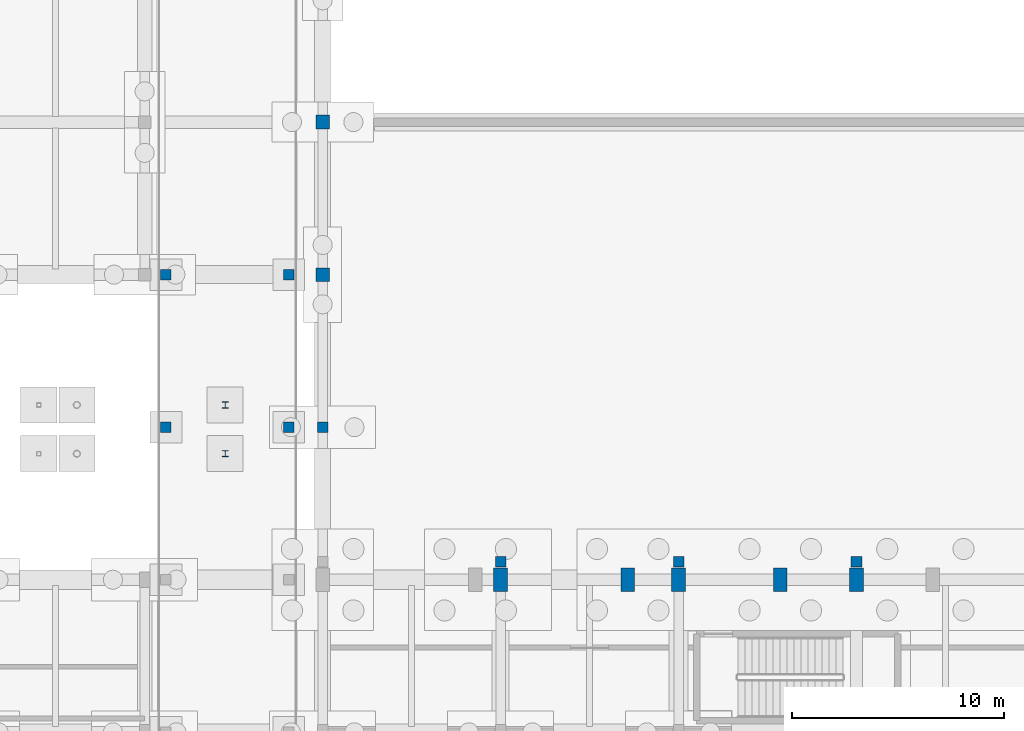
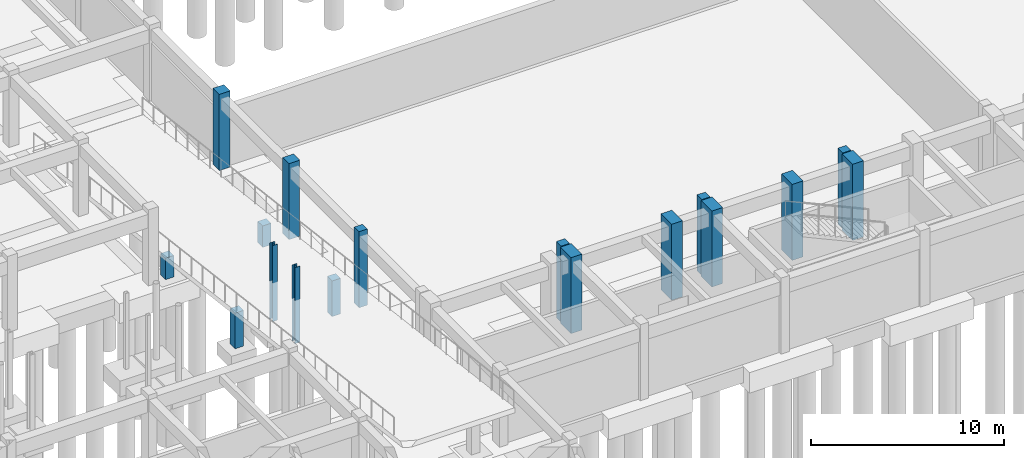
# One storey, part 43 of 80: 17 columns.
"""IFC4 building model written with IfcOpenShell, lengths in metres."""

import ifcopenshell
import ifcopenshell.guid

model = None  # the IFC model being written
_history = None  # IfcOwnerHistory: only IFC2X3 demands one
_inside = {}  # id of a spatial element -> (the spatial element, [elements in it])
_under = {}  # id of a project, library or spatial element -> (it, [spatial elements below it])
_declared = {}  # id of a project -> (the project, [libraries it declares])
_typed = {}  # id of a type object -> (the type object, [elements of that type])
_made_of = {}  # id of a material, layer set ... -> (it, [elements and type objects made of it])


def new_model(schema):
    """Start an empty IFC model of exactly this schema.

    Asked for "IFC4X3", IfcOpenShell would pick the latest addendum, in which some entities
    have other attributes; the version numbers below select the first issue.
    IFC2X3 requires an IfcOwnerHistory on every rooted entity: one is made here for all.
    """
    global model, _history
    if schema == "IFC4X3":
        model = ifcopenshell.file(schema_version=(4, 3, 0, 0))
    else:
        model = ifcopenshell.file(schema=schema)
    _inside.clear()
    _under.clear()
    _declared.clear()
    _typed.clear()
    _made_of.clear()
    _history = None
    if model.schema == "IFC2X3":
        org = make("IfcOrganization", Name="unknown")
        user = make(
            "IfcPersonAndOrganization",
            ThePerson=make("IfcPerson", FamilyName="unknown"),
            TheOrganization=org,
        )
        app = make(
            "IfcApplication",
            ApplicationDeveloper=org,
            Version="unknown",
            ApplicationFullName="unknown",
            ApplicationIdentifier="unknown",
        )
        _history = make(
            "IfcOwnerHistory",
            OwningUser=user,
            OwningApplication=app,
            ChangeAction="ADDED",
            CreationDate=0,
        )
    return model


def make(cls, **values):
    """One entity of the class cls with the attributes given. An attribute that is None is left unset."""
    return model.create_entity(
        cls, **{name: value for name, value in values.items() if value is not None}
    )


def rooted(cls, **values):
    """An entity with a GlobalId (a new one), such as an element, a storey or a relation."""
    return make(cls, GlobalId=ifcopenshell.guid.new(), OwnerHistory=_history, **values)


def si_unit(unit_type, name, prefix=None):
    """IfcSIUnit, for example si_unit("LENGTHUNIT", "METRE", prefix="MILLI")."""
    return make("IfcSIUnit", UnitType=unit_type, Prefix=prefix, Name=name)


def assignment(units):
    """IfcUnitAssignment: the units of a project."""
    return None if units is None else make("IfcUnitAssignment", Units=units)


def point(xyz):
    """IfcCartesianPoint."""
    return None if xyz is None else make("IfcCartesianPoint", Coordinates=xyz)


def direction(xyz):
    """IfcDirection."""
    return None if xyz is None else make("IfcDirection", DirectionRatios=xyz)


def frame(location, z_axis=None, x_axis=None):
    """IfcAxis2Placement3D, a coordinate frame: its origin and axes. An axis left out is left unset."""
    return make(
        "IfcAxis2Placement3D",
        Location=point(location),
        Axis=direction(z_axis),
        RefDirection=direction(x_axis),
    )


def frame_2d(location, x_axis=None):
    """IfcAxis2Placement2D, a coordinate frame in the plane: its origin and x axis."""
    return make(
        "IfcAxis2Placement2D", Location=point(location), RefDirection=direction(x_axis)
    )


def origin():
    """The frame at (0, 0, 0) with its axes left unset."""
    return frame((0.0, 0.0, 0.0))


def origin_2d():
    """The frame at (0, 0) in the plane with its x axis left unset."""
    return frame_2d((0.0, 0.0))


def place(relative_to, where):
    """IfcLocalPlacement: puts the frame where relative to a parent placement (None: the world)."""
    return make(
        "IfcLocalPlacement", PlacementRelTo=relative_to, RelativePlacement=where
    )


def context(
    kind, dimensions, precision=None, world=None, true_north=None, identifier=None
):
    """IfcGeometricRepresentationContext, for example the 3D "Model" context."""
    return make(
        "IfcGeometricRepresentationContext",
        ContextIdentifier=identifier,
        ContextType=kind,
        CoordinateSpaceDimension=dimensions,
        Precision=precision,
        WorldCoordinateSystem=world,
        TrueNorth=true_north,
    )


def subcontext(parent, identifier, kind, view, scale=None):
    """IfcGeometricRepresentationSubContext, for example "Body" below "Model"."""
    return make(
        "IfcGeometricRepresentationSubContext",
        ContextIdentifier=identifier,
        ContextType=kind,
        ParentContext=parent,
        TargetScale=scale,
        TargetView=view,
    )


def project(units=None, contexts=None):
    """IfcProject with its units and contexts."""
    return rooted(
        "IfcProject",
        Name="project",
        RepresentationContexts=contexts,
        UnitsInContext=assignment(units),
    )


def spatial(cls, under=None, at=None, **own):
    """A site, building, storey or space (cls), placed at a placement, below another one or the project."""
    s = rooted(cls, ObjectPlacement=at, **own)
    if under is not None:
        _under.setdefault(under.id(), (under, []))[1].append(s)
    return s


def profile(cls, at=None, kind="AREA", **sizes):
    """A parametric profile (cls). Its sizes go by their IFC names, for example OverallWidth=200.0."""
    return make(cls, ProfileType=kind, Position=at, **sizes)


def rectangle(**sizes):
    """IfcRectangleProfileDef."""
    return profile("IfcRectangleProfileDef", **sizes)


def i_section(**sizes):
    """IfcIShapeProfileDef."""
    return profile("IfcIShapeProfileDef", **sizes)


def extrude(swept, where, along, depth):
    """IfcExtrudedAreaSolid: the profile swept, set in the frame where, extruded along a direction by depth."""
    return make(
        "IfcExtrudedAreaSolid",
        SweptArea=swept,
        Position=where,
        ExtrudedDirection=direction(along),
        Depth=depth,
    )


def shape(context_of_items, identifier, shape_type, items):
    """IfcShapeRepresentation: the items that make up one representation, for example the "Body"."""
    return make(
        "IfcShapeRepresentation",
        ContextOfItems=context_of_items,
        RepresentationIdentifier=identifier,
        RepresentationType=shape_type,
        Items=items,
    )


def material(Name=None, Category=None):
    """IfcMaterial."""
    return make("IfcMaterial", Name=Name, Category=Category)


def material_profile(
    of_material, cross_section, Name=None, Category=None, Priority=None
):
    """IfcMaterialProfile: a cross section and its material."""
    return make(
        "IfcMaterialProfile",
        Name=Name,
        Material=of_material,
        Profile=cross_section,
        Priority=Priority,
        Category=Category,
    )


def profile_set(profiles, Name=None, composite=None):
    """IfcMaterialProfileSet."""
    return make(
        "IfcMaterialProfileSet",
        Name=Name,
        MaterialProfiles=profiles,
        CompositeProfile=composite,
    )


def made_of(thing, what):
    """Note that an element or type object is made of a material, layer set ...; save() writes the relation."""
    if what is not None:
        _made_of.setdefault(what.id(), (what, []))[1].append(thing)
    return thing


def type_object(cls, material=None, **own):
    """A type object (cls), such as IfcWallType, which elements share."""
    return made_of(rooted(cls, **own), material)


def element(
    cls,
    number,
    at=None,
    inside=None,
    cuts=None,
    type_object=None,
    material=None,
    context=None,
    identifier="Body",
    shape_type=None,
    held_by="IfcProductDefinitionShape",
    body=None,
    shapes=None,
    **own,
):
    """One element of the class cls, such as IfcWall. Its Tag is "e" and its number.

    at: its placement. inside: the storey or other place that contains it. cuts: it is an
    opening in that element (IfcRelVoidsElement). A single representation is given by context,
    identifier, shape_type and body (its items); several are given by shapes. held_by: the class
    of the entity that holds the representations. save() writes the other relations.
    """
    e = rooted(cls, Tag="e%d" % number, ObjectPlacement=at, **own)
    if body is not None:
        shapes = [shape(context, identifier, shape_type, body)]
    if shapes is not None:
        e.Representation = make(held_by, Representations=shapes)
    if inside is not None:
        _inside.setdefault(inside.id(), (inside, []))[1].append(e)
    if cuts is not None:
        rooted(
            "IfcRelVoidsElement", RelatingBuildingElement=cuts, RelatedOpeningElement=e
        )
    if type_object is not None:
        _typed.setdefault(type_object.id(), (type_object, []))[1].append(e)
    return made_of(e, material)


def aggregate(whole, parts):
    """IfcRelAggregates: a whole, such as a stair, and the parts it consists of."""
    return rooted("IfcRelAggregates", RelatingObject=whole, RelatedObjects=parts)


def save(model, path):
    """Write the relations noted so far, then the file.

    IfcRelAggregates (storeys below a building ...), IfcRelContainedInSpatialStructure (elements
    in a storey), IfcRelDefinesByType, IfcRelAssociatesMaterial and IfcRelDeclares: one each for
    every whole, place, type object, material and project.
    """
    for whole, parts in _under.values():
        aggregate(whole, parts)
    for where, things in _inside.values():
        rooted(
            "IfcRelContainedInSpatialStructure",
            RelatedElements=things,
            RelatingStructure=where,
        )
    for kind, things in _typed.values():
        rooted("IfcRelDefinesByType", RelatedObjects=things, RelatingType=kind)
    for what, things in _made_of.values():
        rooted("IfcRelAssociatesMaterial", RelatedObjects=things, RelatingMaterial=what)
    for by, libraries in _declared.values():
        rooted("IfcRelDeclares", RelatingContext=by, RelatedDefinitions=libraries)
    model.write(path)


model = new_model("IFC4")

# Units and contexts
model_context = context("Model", 3, precision=1e-05, world=origin(), true_north=direction((0.0, 1.0)))
body_context = subcontext(model_context, "Body", "Model", "MODEL_VIEW")
ifc_project = project(units=[si_unit("LENGTHUNIT", "METRE"), si_unit("AREAUNIT", "SQUARE_METRE"), si_unit("VOLUMEUNIT", "CUBIC_METRE"), si_unit("PLANEANGLEUNIT", "RADIAN"), si_unit("MASSUNIT", "GRAM", prefix="KILO")], contexts=[model_context])

# Site, building, storey
site_placement = place(None, origin())
site = spatial("IfcSite", under=ifc_project, at=site_placement, CompositionType="ELEMENT")
building_placement = place(site_placement, origin())
building = spatial("IfcBuilding", under=site, at=building_placement, Name="Malvenik Polytechnic", CompositionType="ELEMENT")
storey_placement = place(building_placement, frame((0.0, 0.0, -4.800048828125)))
storey = spatial("IfcBuildingStorey", under=building, at=storey_placement, Name="B1", CompositionType="ELEMENT", Elevation=-4.800048828125)

# Columns
ifc_material_1 = material(Name="Concrete C35/45", Category="concrete")
ifc_material_profile_1 = material_profile(ifc_material_1, rectangle(XDim=0.64990234375, YDim=0.64990234375, at=origin_2d()), Name="RC COL 650x650")
ifc_profile_set_1 = profile_set([ifc_material_profile_1], Name="Concrete C35/45")
column_type_1 = type_object("IfcColumnType", Name="STR-COL-C-05", PredefinedType="COLUMN", material=ifc_profile_set_1)
for number, where, z_axis, x_axis, name in (
    (1, (134.39990234375, 50.39990234375, 0.0), (0.0, 0.0, 1.0), (1.0, 0.0, 0.0), "Column C-05 B1 (134.4,50.4)"),
    (2, (134.39990234375, 57.60009765625, 0.0), (0.0, 0.0, 1.0), (1.0, 0.0, 0.0), "Column C-05 B1 (134.4,57.6)"),
):
    element("IfcColumn", number, at=place(storey_placement, frame(where, z_axis=z_axis, x_axis=x_axis)), inside=storey, type_object=column_type_1, Name=name, PredefinedType="COLUMN", context=body_context, shape_type="SweptSolid", body=[
        extrude(rectangle(XDim=0.64990234375, YDim=0.64990234375, at=origin_2d()), origin(), (0.0, 0.0, 1.0), 4.800048828125),
    ])
ifc_material_profile_2 = material_profile(ifc_material_1, rectangle(XDim=0.5, YDim=0.5, at=origin_2d()), Name="RC COL 500x500")
ifc_profile_set_2 = profile_set([ifc_material_profile_2], Name="Concrete C35/45")
column_type_2 = type_object("IfcColumnType", Name="STR-COL-C-08", PredefinedType="COLUMN", material=ifc_profile_set_2)
column_placement = place(storey_placement, frame((134.39990234375, 43.199951171875, 0.0), z_axis=(0.0, 0.0, 1.0), x_axis=(1.0, 0.0, 0.0)))
element("IfcColumn", 3, at=column_placement, inside=storey, type_object=column_type_2, Name="Column C-08 B1 (134.4,43.2)", PredefinedType="COLUMN", context=body_context, shape_type="SweptSolid", body=[
    extrude(rectangle(XDim=0.5, YDim=0.5, at=origin_2d()), origin(), (0.0, 0.0, 1.0), 4.800048828125),
])
for number, where, z_axis, x_axis, name in (
    (4, (127.0, 50.39990234375, 0.0), (0.0, 0.0, 1.0), (1.0, 0.0, 0.0), "Vehicle Ramp Support Column (127.0,50.4)"),
    (5, (132.800048828125, 50.39990234375, 0.0), (0.0, 0.0, 1.0), (1.0, 0.0, 0.0), "Vehicle Ramp Support Column (132.8,50.4)"),
):
    element("IfcColumn", number, at=place(storey_placement, frame(where, z_axis=z_axis, x_axis=x_axis)), inside=storey, type_object=column_type_2, Name=name, PredefinedType="COLUMN", context=body_context, shape_type="SweptSolid", body=[
        extrude(rectangle(XDim=0.5, YDim=0.5, at=origin_2d()), origin(), (0.0, 0.0, 1.0), 1.35498046875),
    ])
for number, where, z_axis, x_axis, name in (
    (6, (127.0, 43.199951171875, 0.0), (0.0, 0.0, 1.0), (1.0, 0.0, 0.0), "Vehicle Ramp Support Column (127.0,43.2)"),
    (7, (132.800048828125, 43.199951171875, 0.0), (0.0, 0.0, 1.0), (1.0, 0.0, 0.0), "Vehicle Ramp Support Column (132.8,43.2)"),
):
    element("IfcColumn", number, at=place(storey_placement, frame(where, z_axis=z_axis, x_axis=x_axis)), inside=storey, type_object=column_type_2, Name=name, PredefinedType="COLUMN", context=body_context, shape_type="SweptSolid", body=[
        extrude(rectangle(XDim=0.5, YDim=0.5, at=origin_2d()), origin(), (0.0, 0.0, 1.0), 2.255126953125),
    ])
for number, where, z_axis, x_axis, name in (
    (8, (142.800048828125, 36.85009765625, 0.0), (0.0, 0.0, 1.0), (1.0, 0.0, 0.0), "Crane Pier Column B1 #1.2"),
    (9, (151.199951171875, 36.85009765625, 0.0), (0.0, 0.0, 1.0), (1.0, 0.0, 0.0), "Crane Pier Column B1 #1.3"),
    (10, (159.60009765625, 36.85009765625, 0.0), (0.0, 0.0, 1.0), (1.0, 0.0, 0.0), "Crane Pier Column B1 #1.4"),
):
    element("IfcColumn", number, at=place(storey_placement, frame(where, z_axis=z_axis, x_axis=x_axis)), inside=storey, type_object=column_type_2, Name=name, PredefinedType="COLUMN", context=body_context, shape_type="SweptSolid", body=[
        extrude(rectangle(XDim=0.5, YDim=0.5, at=origin_2d()), origin(), (0.0, 0.0, 1.0), 4.800048828125),
    ])
ifc_material_profile_3 = material_profile(ifc_material_1, rectangle(XDim=0.64990234375, YDim=1.10009765625, at=origin_2d()), Name="RC COL 1100x650")
ifc_profile_set_3 = profile_set([ifc_material_profile_3], Name="Concrete C35/45")
column_type_3 = type_object("IfcColumnType", Name="STR-COL-C-12", PredefinedType="COLUMN", material=ifc_profile_set_3)
for number, where, z_axis, x_axis, name in (
    (11, (142.800048828125, 36.0, 0.0), (0.0, 0.0, 1.0), (1.0, 0.0, 0.0), "Column C-12 B1 (142.8,36.0)"),
    (12, (148.800048828125, 36.0, 0.0), (0.0, 0.0, 1.0), (1.0, 0.0, 0.0), "Column C-12 B1 (148.8,36.0)"),
    (13, (151.199951171875, 36.0, 0.0), (0.0, 0.0, 1.0), (1.0, 0.0, 0.0), "Column C-12 B1 (151.2,36.0)"),
    (14, (156.0, 36.0, 0.0), (0.0, 0.0, 1.0), (1.0, 0.0, 0.0), "Column C-12 B1 (156.0,36.0)"),
    (15, (159.60009765625, 36.0, 0.0), (0.0, 0.0, 1.0), (1.0, 0.0, 0.0), "Column C-12 B1 (159.6,36.0)"),
):
    element("IfcColumn", number, at=place(storey_placement, frame(where, z_axis=z_axis, x_axis=x_axis)), inside=storey, type_object=column_type_3, Name=name, PredefinedType="COLUMN", context=body_context, shape_type="SweptSolid", body=[
        extrude(rectangle(XDim=0.64990234375, YDim=1.10009765625, at=origin_2d()), origin(), (0.0, 0.0, 1.0), 4.800048828125),
    ])
ifc_material_2 = material(Name="Steel S355", Category="steel")
ifc_material_profile_4 = material_profile(ifc_material_2, i_section(OverallWidth=0.300048828125, OverallDepth=0.300048828125, WebThickness=0.010986328125, FlangeThickness=0.01904296875, FilletRadius=0.027099609375, at=origin_2d()), Name="HEB 300")
ifc_profile_set_4 = profile_set([ifc_material_profile_4], Name="Steel S355")
column_type_4 = type_object("IfcColumnType", Name="STR-SCOL-SC-05", PredefinedType="COLUMN", material=ifc_profile_set_4)
for number, where, z_axis, x_axis, name in (
    (16, (129.800048828125, 41.949951171875, 0.0), (0.0, 0.0, 1.0), (1.0, 0.0, 0.0), "Bridge-Ramp Support Column SC-05 B1"),
    (17, (129.800048828125, 44.25, 0.0), (0.0, 0.0, 1.0), (1.0, 0.0, 0.0), "Bridge-Ramp Support Column SC-05 B1"),
):
    element("IfcColumn", number, at=place(storey_placement, frame(where, z_axis=z_axis, x_axis=x_axis)), inside=storey, type_object=column_type_4, Name=name, PredefinedType="COLUMN", context=body_context, shape_type="SweptSolid", body=[
        extrude(i_section(OverallWidth=0.300048828125, OverallDepth=0.300048828125, WebThickness=0.010986328125, FlangeThickness=0.01904296875, FilletRadius=0.027099609375, at=origin_2d()), origin(), (0.0, 0.0, 1.0), 4.800048828125),
    ])

save(model, "model.ifc")
